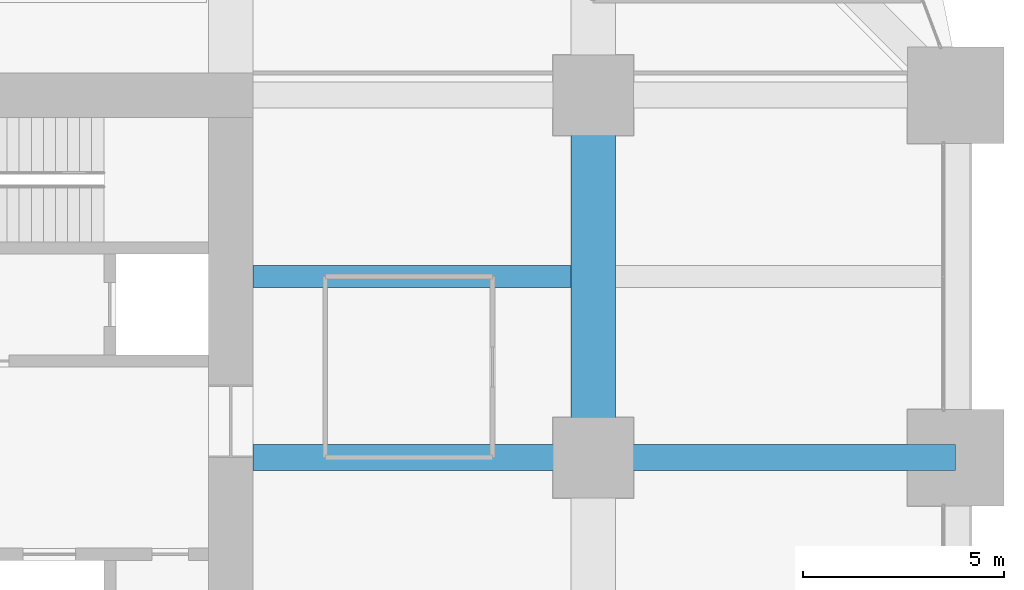
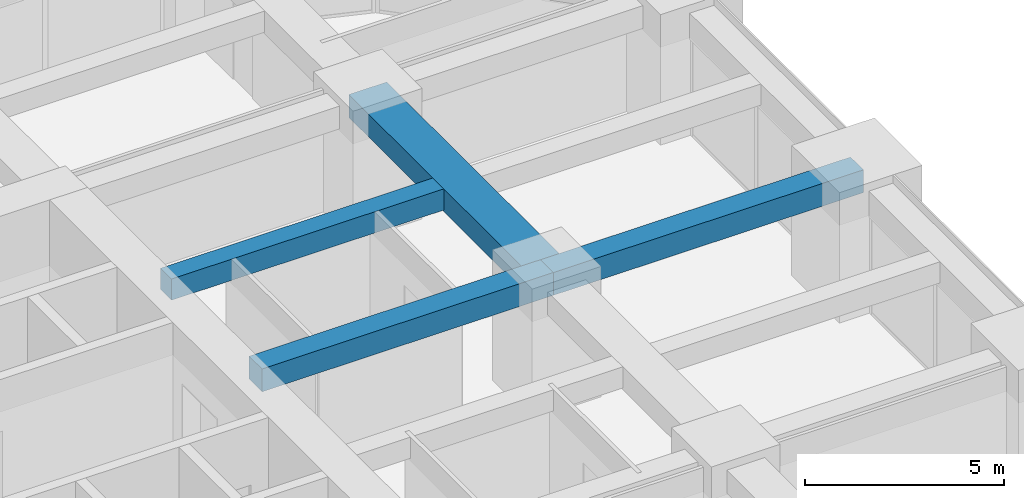
# One storey, part 22 of 41: 4 beams.
"""IFC4 building model written with IfcOpenShell, lengths in metres."""

from ifc_helpers import new_model, si_unit, direction, frame, origin, origin_2d, place, context, subcontext, project, spatial, rectangle, extrude, material, material_profile, profile_set, type_object, element, save


model = new_model("IFC4")

# Units and contexts
model_context = context("Model", 3, precision=1e-05, world=origin(), true_north=direction((0.0, 1.0)))
body_context = subcontext(model_context, "Body", "Model", "MODEL_VIEW")
ifc_project = project(units=[si_unit("LENGTHUNIT", "METRE"), si_unit("AREAUNIT", "SQUARE_METRE"), si_unit("VOLUMEUNIT", "CUBIC_METRE"), si_unit("PLANEANGLEUNIT", "RADIAN"), si_unit("MASSUNIT", "GRAM", prefix="KILO")], contexts=[model_context])

# Site, building, storey
site_placement = place(None, origin())
site = spatial("IfcSite", under=ifc_project, at=site_placement, CompositionType="ELEMENT")
building_placement = place(site_placement, origin())
building = spatial("IfcBuilding", under=site, at=building_placement, Name="Zorevar Civic Tower", CompositionType="ELEMENT")
storey_placement = place(building_placement, frame((0.0, 0.0, 97.0)))
storey = spatial("IfcBuildingStorey", under=building, at=storey_placement, Name="L23", CompositionType="ELEMENT", Elevation=97.0)

# Beams
ifc_material_1 = material(Name="Concrete C50/60", Category="concrete")
ifc_material_profile_1 = material_profile(ifc_material_1, rectangle(XDim=1.10009765625, YDim=0.699951171875, at=origin_2d()), Name="RC 1100x700")
ifc_profile_set_1 = profile_set([ifc_material_profile_1], Name="Concrete C50/60")
beam_type_1 = type_object("IfcBeamType", Name="Beam RC 1100x700", PredefinedType="BEAM", material=ifc_profile_set_1)
beam_1_placement = place(storey_placement, frame((54.0, 27.0, 3.39990234375), z_axis=(0.0, 1.0, 0.0), x_axis=(-1.0, 0.0, 0.0)))
element("IfcBeam", 1, at=beam_1_placement, inside=storey, type_object=beam_type_1, Name="Girder L24", PredefinedType="BEAM", context=body_context, shape_type="SweptSolid", body=[
    extrude(rectangle(XDim=1.10009765625, YDim=0.699951171875, at=origin_2d()), origin(), (0.0, 0.0, 1.0), 9.0),
])
ifc_material_2 = material(Name="Concrete C50/60", Category="concrete")
ifc_material_profile_2 = material_profile(ifc_material_2, rectangle(XDim=0.550048828125, YDim=0.64990234375, at=origin_2d()), Name="RC 550x650")
ifc_profile_set_2 = profile_set([ifc_material_profile_2], Name="Concrete C50/60")
beam_type_2 = type_object("IfcBeamType", Name="Beam RC 550x650", PredefinedType="BEAM", material=ifc_profile_set_2)
beam_2_placement = place(storey_placement, frame((45.550048828125, 31.5, 3.425048828125), z_axis=(1.0, 0.0, 0.0), x_axis=(0.0, 1.0, 0.0)))
element("IfcBeam", 2, at=beam_2_placement, inside=storey, type_object=beam_type_2, Name="Secondary beam L24", PredefinedType="BEAM", context=body_context, shape_type="SweptSolid", body=[
    extrude(rectangle(XDim=0.550048828125, YDim=0.64990234375, at=origin_2d()), origin(), (0.0, 0.0, 1.0), 7.89990234375),
])
ifc_material_3 = material(Name="Concrete C50/60", Category="concrete")
ifc_material_profile_3 = material_profile(ifc_material_3, rectangle(XDim=0.64990234375, YDim=0.699951171875, at=origin_2d()), Name="RC 650x700")
ifc_profile_set_3 = profile_set([ifc_material_profile_3], Name="Concrete C50/60")
beam_type_3 = type_object("IfcBeamType", Name="Beam RC 650x700", PredefinedType="BEAM", material=ifc_profile_set_3)
beam_3_placement = place(storey_placement, frame((45.550048828125, 27.0, 3.39990234375), z_axis=(1.0, 0.0, 0.0), x_axis=(0.0, 1.0, 0.0)))
element("IfcBeam", 3, at=beam_3_placement, inside=storey, type_object=beam_type_3, Name="Girder L24", PredefinedType="BEAM", context=body_context, shape_type="SweptSolid", body=[
    extrude(rectangle(XDim=0.64990234375, YDim=0.699951171875, at=origin_2d()), origin(), (0.0, 0.0, 1.0), 8.449951171875),
])
beam_4_placement = place(storey_placement, frame((54.0, 27.0, 3.39990234375), z_axis=(1.0, 0.0, 0.0), x_axis=(0.0, 1.0, 0.0)))
element("IfcBeam", 4, at=beam_4_placement, inside=storey, type_object=beam_type_3, Name="Girder L24", PredefinedType="BEAM", context=body_context, shape_type="SweptSolid", body=[
    extrude(rectangle(XDim=0.64990234375, YDim=0.699951171875, at=origin_2d()), origin(), (0.0, 0.0, 1.0), 9.0),
])

save(model, "model.ifc")
